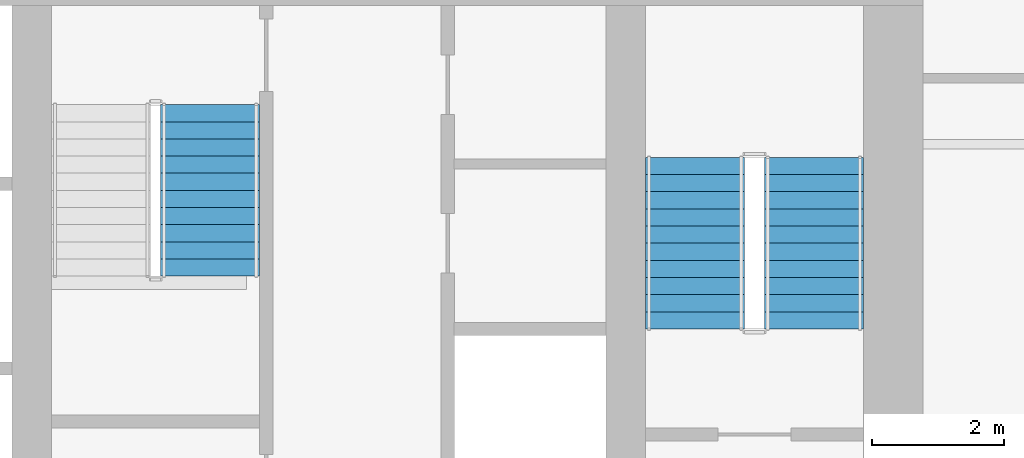
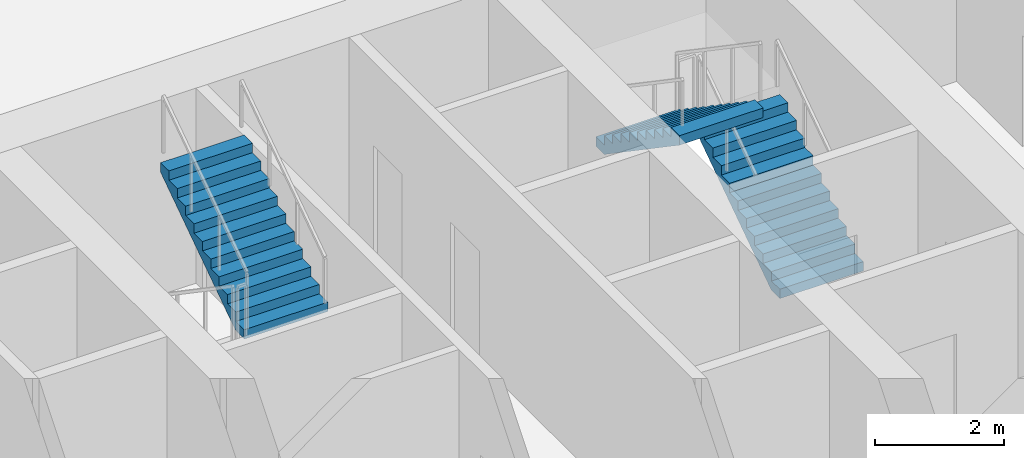
# One storey, part 11 of 15: 3 stair flights, 2 elements without a shape of their own.
"""IFC4 building model written with IfcOpenShell, lengths in metres."""

import ifcopenshell
import ifcopenshell.guid

model = None  # the IFC model being written
_history = None  # IfcOwnerHistory: only IFC2X3 demands one
_inside = {}  # id of a spatial element -> (the spatial element, [elements in it])
_under = {}  # id of a project, library or spatial element -> (it, [spatial elements below it])
_declared = {}  # id of a project -> (the project, [libraries it declares])
_typed = {}  # id of a type object -> (the type object, [elements of that type])
_made_of = {}  # id of a material, layer set ... -> (it, [elements and type objects made of it])


def new_model(schema):
    """Start an empty IFC model of exactly this schema.

    Asked for "IFC4X3", IfcOpenShell would pick the latest addendum, in which some entities
    have other attributes; the version numbers below select the first issue.
    IFC2X3 requires an IfcOwnerHistory on every rooted entity: one is made here for all.
    """
    global model, _history
    if schema == "IFC4X3":
        model = ifcopenshell.file(schema_version=(4, 3, 0, 0))
    else:
        model = ifcopenshell.file(schema=schema)
    _inside.clear()
    _under.clear()
    _declared.clear()
    _typed.clear()
    _made_of.clear()
    _history = None
    if model.schema == "IFC2X3":
        org = make("IfcOrganization", Name="unknown")
        user = make(
            "IfcPersonAndOrganization",
            ThePerson=make("IfcPerson", FamilyName="unknown"),
            TheOrganization=org,
        )
        app = make(
            "IfcApplication",
            ApplicationDeveloper=org,
            Version="unknown",
            ApplicationFullName="unknown",
            ApplicationIdentifier="unknown",
        )
        _history = make(
            "IfcOwnerHistory",
            OwningUser=user,
            OwningApplication=app,
            ChangeAction="ADDED",
            CreationDate=0,
        )
    return model


def make(cls, **values):
    """One entity of the class cls with the attributes given. An attribute that is None is left unset."""
    return model.create_entity(
        cls, **{name: value for name, value in values.items() if value is not None}
    )


def rooted(cls, **values):
    """An entity with a GlobalId (a new one), such as an element, a storey or a relation."""
    return make(cls, GlobalId=ifcopenshell.guid.new(), OwnerHistory=_history, **values)


def si_unit(unit_type, name, prefix=None):
    """IfcSIUnit, for example si_unit("LENGTHUNIT", "METRE", prefix="MILLI")."""
    return make("IfcSIUnit", UnitType=unit_type, Prefix=prefix, Name=name)


def assignment(units):
    """IfcUnitAssignment: the units of a project."""
    return None if units is None else make("IfcUnitAssignment", Units=units)


def point(xyz):
    """IfcCartesianPoint."""
    return None if xyz is None else make("IfcCartesianPoint", Coordinates=xyz)


def direction(xyz):
    """IfcDirection."""
    return None if xyz is None else make("IfcDirection", DirectionRatios=xyz)


def frame(location, z_axis=None, x_axis=None):
    """IfcAxis2Placement3D, a coordinate frame: its origin and axes. An axis left out is left unset."""
    return make(
        "IfcAxis2Placement3D",
        Location=point(location),
        Axis=direction(z_axis),
        RefDirection=direction(x_axis),
    )


def origin():
    """The frame at (0, 0, 0) with its axes left unset."""
    return frame((0.0, 0.0, 0.0))


def place(relative_to, where):
    """IfcLocalPlacement: puts the frame where relative to a parent placement (None: the world)."""
    return make(
        "IfcLocalPlacement", PlacementRelTo=relative_to, RelativePlacement=where
    )


def context(
    kind, dimensions, precision=None, world=None, true_north=None, identifier=None
):
    """IfcGeometricRepresentationContext, for example the 3D "Model" context."""
    return make(
        "IfcGeometricRepresentationContext",
        ContextIdentifier=identifier,
        ContextType=kind,
        CoordinateSpaceDimension=dimensions,
        Precision=precision,
        WorldCoordinateSystem=world,
        TrueNorth=true_north,
    )


def subcontext(parent, identifier, kind, view, scale=None):
    """IfcGeometricRepresentationSubContext, for example "Body" below "Model"."""
    return make(
        "IfcGeometricRepresentationSubContext",
        ContextIdentifier=identifier,
        ContextType=kind,
        ParentContext=parent,
        TargetScale=scale,
        TargetView=view,
    )


def project(units=None, contexts=None):
    """IfcProject with its units and contexts."""
    return rooted(
        "IfcProject",
        Name="project",
        RepresentationContexts=contexts,
        UnitsInContext=assignment(units),
    )


def spatial(cls, under=None, at=None, **own):
    """A site, building, storey or space (cls), placed at a placement, below another one or the project."""
    s = rooted(cls, ObjectPlacement=at, **own)
    if under is not None:
        _under.setdefault(under.id(), (under, []))[1].append(s)
    return s


def polyline(points):
    """IfcPolyline through the points."""
    return make("IfcPolyline", Points=[point(p) for p in points])


def outline(outer, holes=None, kind="AREA"):
    """IfcArbitraryClosedProfileDef: a profile drawn as a closed curve; with holes, ...WithVoids."""
    if holes is None:
        return make("IfcArbitraryClosedProfileDef", ProfileType=kind, OuterCurve=outer)
    return make(
        "IfcArbitraryProfileDefWithVoids",
        ProfileType=kind,
        OuterCurve=outer,
        InnerCurves=holes,
    )


def extrude(swept, where, along, depth):
    """IfcExtrudedAreaSolid: the profile swept, set in the frame where, extruded along a direction by depth."""
    return make(
        "IfcExtrudedAreaSolid",
        SweptArea=swept,
        Position=where,
        ExtrudedDirection=direction(along),
        Depth=depth,
    )


def shape(context_of_items, identifier, shape_type, items):
    """IfcShapeRepresentation: the items that make up one representation, for example the "Body"."""
    return make(
        "IfcShapeRepresentation",
        ContextOfItems=context_of_items,
        RepresentationIdentifier=identifier,
        RepresentationType=shape_type,
        Items=items,
    )


def material(Name=None, Category=None):
    """IfcMaterial."""
    return make("IfcMaterial", Name=Name, Category=Category)


def made_of(thing, what):
    """Note that an element or type object is made of a material, layer set ...; save() writes the relation."""
    if what is not None:
        _made_of.setdefault(what.id(), (what, []))[1].append(thing)
    return thing


def type_object(cls, material=None, **own):
    """A type object (cls), such as IfcWallType, which elements share."""
    return made_of(rooted(cls, **own), material)


def element(
    cls,
    number,
    at=None,
    inside=None,
    cuts=None,
    type_object=None,
    material=None,
    context=None,
    identifier="Body",
    shape_type=None,
    held_by="IfcProductDefinitionShape",
    body=None,
    shapes=None,
    **own,
):
    """One element of the class cls, such as IfcWall. Its Tag is "e" and its number.

    at: its placement. inside: the storey or other place that contains it. cuts: it is an
    opening in that element (IfcRelVoidsElement). A single representation is given by context,
    identifier, shape_type and body (its items); several are given by shapes. held_by: the class
    of the entity that holds the representations. save() writes the other relations.
    """
    e = rooted(cls, Tag="e%d" % number, ObjectPlacement=at, **own)
    if body is not None:
        shapes = [shape(context, identifier, shape_type, body)]
    if shapes is not None:
        e.Representation = make(held_by, Representations=shapes)
    if inside is not None:
        _inside.setdefault(inside.id(), (inside, []))[1].append(e)
    if cuts is not None:
        rooted(
            "IfcRelVoidsElement", RelatingBuildingElement=cuts, RelatedOpeningElement=e
        )
    if type_object is not None:
        _typed.setdefault(type_object.id(), (type_object, []))[1].append(e)
    return made_of(e, material)


def aggregate(whole, parts):
    """IfcRelAggregates: a whole, such as a stair, and the parts it consists of."""
    return rooted("IfcRelAggregates", RelatingObject=whole, RelatedObjects=parts)


def save(model, path):
    """Write the relations noted so far, then the file.

    IfcRelAggregates (storeys below a building ...), IfcRelContainedInSpatialStructure (elements
    in a storey), IfcRelDefinesByType, IfcRelAssociatesMaterial and IfcRelDeclares: one each for
    every whole, place, type object, material and project.
    """
    for whole, parts in _under.values():
        aggregate(whole, parts)
    for where, things in _inside.values():
        rooted(
            "IfcRelContainedInSpatialStructure",
            RelatedElements=things,
            RelatingStructure=where,
        )
    for kind, things in _typed.values():
        rooted("IfcRelDefinesByType", RelatedObjects=things, RelatingType=kind)
    for what, things in _made_of.values():
        rooted("IfcRelAssociatesMaterial", RelatedObjects=things, RelatingMaterial=what)
    for by, libraries in _declared.values():
        rooted("IfcRelDeclares", RelatingContext=by, RelatedDefinitions=libraries)
    model.write(path)


model = new_model("IFC4")

# Units and contexts
model_context = context("Model", 3, precision=1e-05, world=origin(), true_north=direction((0.0, 1.0)))
body_context = subcontext(model_context, "Body", "Model", "MODEL_VIEW")
ifc_project = project(units=[si_unit("LENGTHUNIT", "METRE"), si_unit("AREAUNIT", "SQUARE_METRE"), si_unit("VOLUMEUNIT", "CUBIC_METRE"), si_unit("PLANEANGLEUNIT", "RADIAN"), si_unit("MASSUNIT", "GRAM", prefix="KILO")], contexts=[model_context])

# Site, building, storey
site_placement = place(None, origin())
site = spatial("IfcSite", under=ifc_project, at=site_placement, CompositionType="ELEMENT")
building_placement = place(site_placement, origin())
building = spatial("IfcBuilding", under=site, at=building_placement, Name="Rattan Terrace Tower", CompositionType="ELEMENT")
storey_placement = place(building_placement, frame((0.0, 0.0, 278.5)))
storey = spatial("IfcBuildingStorey", under=building, at=storey_placement, Name="L64", CompositionType="ELEMENT", Elevation=278.5)

# Stair, stair flights
ifc_material_1 = material(Name="Concrete C40/50", Category="concrete")
stair_type = type_object("IfcStairType", Name="Core exit stair 1500", PredefinedType="HALF_TURN_STAIR", material=ifc_material_1)
stair_1_placement = place(storey_placement, origin())
stair_1 = element("IfcStair", 1, at=stair_1_placement, inside=storey, type_object=stair_type, Name="L64 exit stair 2", PredefinedType="HALF_TURN_STAIR")
ifc_material_2 = material(Name="Concrete C40/50", Category="concrete")
stair_flight_type = type_object("IfcStairFlightType", Name="Core exit stair flight 1500", PredefinedType="STRAIGHT", material=ifc_material_2)
stair_flight_1_placement = place(storey_placement, frame((16.35009765625, 1.699951171875, 0.0), z_axis=(0.0, 0.0, 1.0), x_axis=(0.0, 1.0, 0.0)))
stair_flight_1 = element("IfcStairFlight", 2, at=stair_flight_1_placement, type_object=stair_flight_type, Name="S2 flight 1", NumberOfRisers=11, NumberOfTreads=10, PredefinedType="STRAIGHT", RiserHeight=0.177272727, TreadLength=0.26, context=body_context, shape_type="SweptSolid", body=[
    extrude(outline(polyline([(0.0, 0.0), (0.0, 0.17724609375), (0.260009765625, 0.17724609375), (0.260009765625, 0.3544921875), (0.52001953125, 0.3544921875), (0.52001953125, 0.53173828125), (0.780029296875, 0.53173828125), (0.780029296875, 0.708984375), (1.0400390625, 0.708984375), (1.0400390625, 0.886474609375), (1.300048828125, 0.886474609375), (1.300048828125, 1.063720703125), (1.56005859375, 1.063720703125), (1.56005859375, 1.240966796875), (1.820068359375, 1.240966796875), (1.820068359375, 1.418212890625), (2.080078125, 1.418212890625), (2.080078125, 1.595458984375), (2.340087890625, 1.595458984375), (2.340087890625, 1.772705078125), (2.60009765625, 1.772705078125), (2.60009765625, 1.949951171875), (2.60009765625, 1.59130859375), (0.26611328125, 0.0), (0.0, 0.0)])), frame((0.0, 0.75, 0.0), z_axis=(0.0, -1.0, 0.0), x_axis=(1.0, 0.0, 0.0)), (0.0, 0.0, 1.0), 1.5),
])
stair_flight_2_placement = place(storey_placement, frame((14.550048828125, 4.300048828125, 1.949951171875), z_axis=(0.0, 0.0, 1.0), x_axis=(0.0, -1.0, 0.0)))
stair_flight_2 = element("IfcStairFlight", 3, at=stair_flight_2_placement, type_object=stair_flight_type, Name="S2 flight 2", NumberOfRisers=11, NumberOfTreads=10, PredefinedType="STRAIGHT", RiserHeight=0.177272727, TreadLength=0.26, context=body_context, shape_type="SweptSolid", body=[
    extrude(outline(polyline([(0.0, 0.0), (0.0, 0.17724609375), (0.260009765625, 0.17724609375), (0.260009765625, 0.3544921875), (0.52001953125, 0.3544921875), (0.52001953125, 0.53173828125), (0.780029296875, 0.53173828125), (0.780029296875, 0.708984375), (1.0400390625, 0.708984375), (1.0400390625, 0.886474609375), (1.300048828125, 0.886474609375), (1.300048828125, 1.063720703125), (1.56005859375, 1.063720703125), (1.56005859375, 1.240966796875), (1.820068359375, 1.240966796875), (1.820068359375, 1.418212890625), (2.080078125, 1.418212890625), (2.080078125, 1.595458984375), (2.340087890625, 1.595458984375), (2.340087890625, 1.772705078125), (2.60009765625, 1.772705078125), (2.60009765625, 1.949951171875), (2.60009765625, 1.59130859375), (0.26611328125, 0.0), (0.0, 0.0)])), frame((0.0, 0.75, 0.0), z_axis=(0.0, -1.0, 0.0), x_axis=(1.0, 0.0, 0.0)), (0.0, 0.0, 1.0), 1.5),
])
aggregate(stair_1, [stair_flight_1, stair_flight_2])

# Stair, stair flight
stair_2_placement = place(storey_placement, origin())
stair_2 = element("IfcStair", 4, at=stair_2_placement, inside=storey, type_object=stair_type, Name="L64 exit stair 3", PredefinedType="HALF_TURN_STAIR")
stair_flight_3_placement = place(storey_placement, frame((7.199951171875, 2.5, 1.949951171875), z_axis=(0.0, 0.0, 1.0), x_axis=(0.0, 1.0, 0.0)))
stair_flight_3 = element("IfcStairFlight", 5, at=stair_flight_3_placement, type_object=stair_flight_type, Name="S3 flight 2", NumberOfRisers=11, NumberOfTreads=10, PredefinedType="STRAIGHT", RiserHeight=0.177272727, TreadLength=0.26, context=body_context, shape_type="SweptSolid", body=[
    extrude(outline(polyline([(0.0, 0.0), (0.0, 0.17724609375), (0.260009765625, 0.17724609375), (0.260009765625, 0.3544921875), (0.52001953125, 0.3544921875), (0.52001953125, 0.53173828125), (0.780029296875, 0.53173828125), (0.780029296875, 0.708984375), (1.0400390625, 0.708984375), (1.0400390625, 0.886474609375), (1.300048828125, 0.886474609375), (1.300048828125, 1.063720703125), (1.56005859375, 1.063720703125), (1.56005859375, 1.240966796875), (1.820068359375, 1.240966796875), (1.820068359375, 1.418212890625), (2.080078125, 1.418212890625), (2.080078125, 1.595458984375), (2.340087890625, 1.595458984375), (2.340087890625, 1.772705078125), (2.60009765625, 1.772705078125), (2.60009765625, 1.949951171875), (2.60009765625, 1.59130859375), (0.26611328125, 0.0), (0.0, 0.0)])), frame((0.0, 0.75, 0.0), z_axis=(0.0, -1.0, 0.0), x_axis=(1.0, 0.0, 0.0)), (0.0, 0.0, 1.0), 1.5),
])
aggregate(stair_2, [stair_flight_3])

save(model, "model.ifc")
